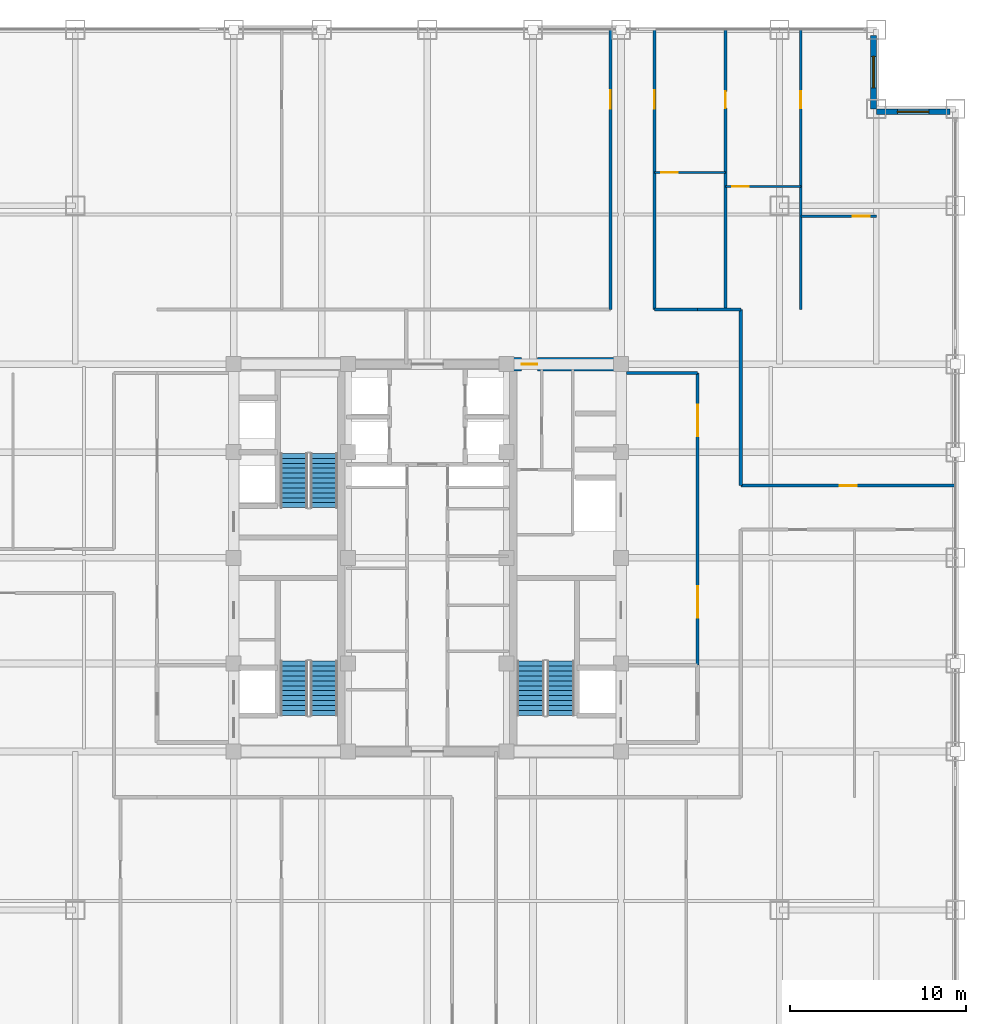
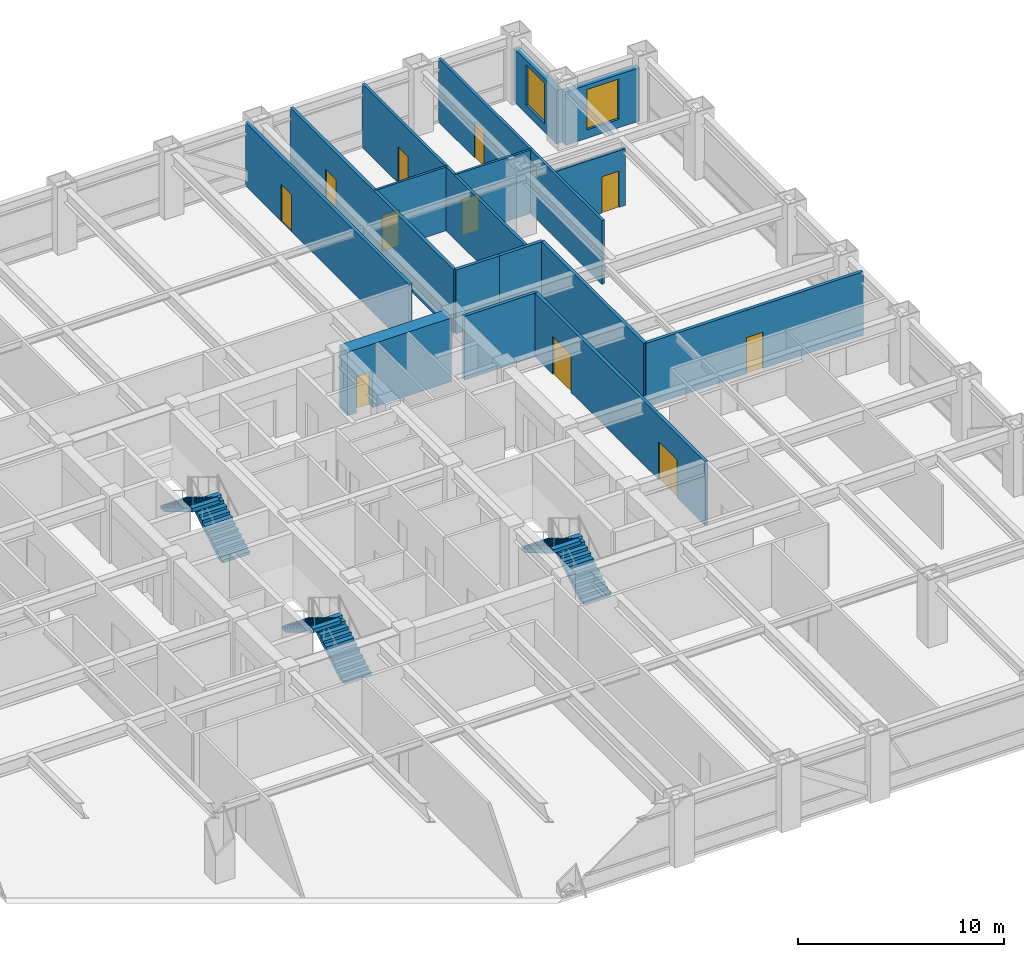
# One storey, part 23 of 24: 16 walls, 11 doors, 6 stair flights, 2 windows, 13 openings, 3 elements without a shape of their own.
"""IFC4 building model written with IfcOpenShell, lengths in metres."""

from ifc_helpers import new_model, si_unit, direction, frame, frame_2d, origin, place, context, subcontext, project, spatial, polyline, rectangle, outline, extrude, source, transform, mapped, material, layer, layer_set, type_object, element, fill, aggregate, save


model = new_model("IFC4")

# Units and contexts
model_context = context("Model", 3, precision=1e-05, world=origin(), true_north=direction((0.0, 1.0)))
body_context = subcontext(model_context, "Body", "Model", "MODEL_VIEW")
ifc_project = project(units=[si_unit("LENGTHUNIT", "METRE"), si_unit("AREAUNIT", "SQUARE_METRE"), si_unit("VOLUMEUNIT", "CUBIC_METRE"), si_unit("PLANEANGLEUNIT", "RADIAN"), si_unit("MASSUNIT", "GRAM", prefix="KILO")], contexts=[model_context])

# Site, building, storey
site_placement = place(None, origin())
site = spatial("IfcSite", under=ifc_project, at=site_placement, CompositionType="ELEMENT")
building_placement = place(site_placement, origin())
building = spatial("IfcBuilding", under=site, at=building_placement, Name="Khorayat Bourse Tower", CompositionType="ELEMENT")
storey_placement = place(building_placement, frame((0.0, 0.0, 203.10009765625)))
storey = spatial("IfcBuildingStorey", under=building, at=storey_placement, Name="L47", CompositionType="ELEMENT", Elevation=203.10009765625)

# Wall, opening, door
ifc_material_1 = material(Name="Concrete C72/90", Category="concrete")
ifc_layer_1 = layer(ifc_material_1, 0.75)
ifc_layer_set_1 = layer_set([ifc_layer_1], Name="Concrete C72/90")
wall_type_1 = type_object("IfcWallType", Name="WAL-CORE-750", PredefinedType="SHEAR", material=ifc_layer_set_1)
shared_shape_1 = source(origin(), body_context, "Body", "SweptSolid", [
    extrude(rectangle(XDim=5.849853515625, YDim=0.75, at=frame_2d((2.9248046875, 0.0))), origin(), (0.0, 0.0, 1.0), 3.77978515625),
])
wall_1_placement = place(storey_placement, frame((4.85009765625, 11.0, 0.0), z_axis=(0.0, 0.0, 1.0), x_axis=(1.0, 0.0, 0.0)))
wall_1 = element("IfcWall", 1, at=wall_1_placement, inside=storey, type_object=wall_type_1, Name="L47 Core Shear Wall PIER-EN", PredefinedType="SHEAR", context=body_context, shape_type="MappedRepresentation", body=[
    mapped(shared_shape_1, transform((0.0, 0.0, 0.0), scale=1.0)),
])
shared_shape_2 = source(origin(), body_context, "Body", "SweptSolid", [
    extrude(rectangle(XDim=0.89990234375, YDim=2.14990234375, at=frame_2d((0.449951171875, 1.074951171875))), frame((0.0, 0.385009765625, 0.0), z_axis=(0.0, -1.0, 0.0), x_axis=(1.0, 0.0, 0.0)), (0.0, 0.0, 1.0), 0.77001953125),
])
opening_1_placement = place(wall_1_placement, frame((0.5, 0.0, 0.0)))
opening_1 = element("IfcOpeningElement", 2, at=opening_1_placement, cuts=wall_1, Name="Opening DI-06", PredefinedType="OPENING", context=body_context, shape_type="MappedRepresentation", body=[
    mapped(shared_shape_2, transform((0.0, 0.0, 0.0), scale=1.0)),
])
ifc_material_2 = material(Name="Moisture-resistant laminate washroom door")
door_type_1 = type_object("IfcDoorType", Name="DR-INT-WC-900", OperationType="NOTDEFINED", PredefinedType="DOOR", material=ifc_material_2)
shared_shape_3 = source(origin(), body_context, "Body", "SweptSolid", [
    extrude(rectangle(XDim=0.89990234375, YDim=2.14990234375, at=frame_2d((0.449951171875, 1.074951171875))), frame((0.0, 0.02490234375, 0.0), z_axis=(0.0, -1.0, 0.0), x_axis=(1.0, 0.0, 0.0)), (0.0, 0.0, 1.0), 0.050048828125),
])
door_1_placement = place(opening_1_placement, origin())
door_1 = element("IfcDoor", 3, at=door_1_placement, inside=storey, type_object=door_type_1, Name="L47 Core Washroom Lobby Door", OperationType="SINGLE_SWING_LEFT", OverallHeight=2.14990234375, OverallWidth=0.89990234375, PredefinedType="DOOR", context=body_context, shape_type="MappedRepresentation", body=[
    mapped(shared_shape_3, transform((0.0, 0.0, 0.0), scale=1.0)),
])
fill(opening_1, door_1)

# Wall, opening, window
ifc_material_3 = material(Name="Precast concrete C45/55", Category="concrete")
ifc_layer_2 = layer(ifc_material_3, 0.320068359375)
ifc_layer_set_2 = layer_set([ifc_layer_2], Name="Precast concrete C45/55")
wall_type_2 = type_object("IfcWallType", Name="WAL-EXT-STONE-320", PredefinedType="STANDARD", material=ifc_layer_set_2)
shared_shape_4 = source(origin(), body_context, "Body", "SweptSolid", [
    extrude(rectangle(XDim=4.179931640625, YDim=0.320068359375, at=frame_2d((2.08984375, 0.0))), origin(), (0.0, 0.0, 1.0), 3.163818359375),
])
wall_2_placement = place(storey_placement, frame((25.5, 25.340087890625, 0.0), z_axis=(0.0, 0.0, 1.0), x_axis=(1.0, 0.0, 0.0)))
wall_2 = element("IfcWall", 4, at=wall_2_placement, inside=storey, type_object=wall_type_2, Name="L47 Re-Entrant Notch Limestone Wall NE-H", PredefinedType="STANDARD", context=body_context, shape_type="MappedRepresentation", body=[
    mapped(shared_shape_4, transform((0.0, 0.0, 0.0), scale=1.0)),
])
shared_shape_5 = source(origin(), body_context, "Body", "SweptSolid", [
    extrude(rectangle(XDim=1.800048828125, YDim=2.39990234375, at=frame_2d((0.89990234375, 1.199951171875))), frame((0.0, 0.169921875, 0.0), z_axis=(0.0, -1.0, 0.0), x_axis=(1.0, 0.0, 0.0)), (0.0, 0.0, 1.0), 0.340087890625),
])
opening_2_placement = place(wall_2_placement, frame((1.18994140625, 0.0, 0.5)))
opening_2 = element("IfcOpeningElement", 5, at=opening_2_placement, cuts=wall_2, Name="Opening WN-04", PredefinedType="OPENING", context=body_context, shape_type="MappedRepresentation", body=[
    mapped(shared_shape_5, transform((0.0, 0.0, 0.0), scale=1.0)),
])
ifc_material_4 = material(Name="Low-E acoustic laminated double glazing", Category="glass")
window_type = type_object("IfcWindowType", Name="WIN-NOTCH-1800x2400", PartitioningType="SINGLE_PANEL", PredefinedType="WINDOW", material=ifc_material_4)
shared_shape_6 = source(origin(), body_context, "Body", "SweptSolid", [
    extrude(rectangle(XDim=1.800048828125, YDim=2.39990234375, at=frame_2d((0.89990234375, 1.199951171875))), frame((0.0, 0.030029296875, 0.0), z_axis=(0.0, -1.0, 0.0), x_axis=(1.0, 0.0, 0.0)), (0.0, 0.0, 1.0), 0.06005859375),
])
window_1_placement = place(opening_2_placement, origin())
window_1 = element("IfcWindow", 6, at=window_1_placement, inside=storey, type_object=window_type, Name="L47 Facade Window 1", OverallHeight=2.39990234375, OverallWidth=1.800048828125, PartitioningType="SINGLE_PANEL", PredefinedType="WINDOW", context=body_context, shape_type="MappedRepresentation", body=[
    mapped(shared_shape_6, transform((0.0, 0.0, 0.0), scale=1.0)),
])
fill(opening_2, window_1)

wall_3_placement = place(storey_placement, frame((25.340087890625, 25.5, 0.0), z_axis=(0.0, 0.0, 1.0), x_axis=(0.0, 1.0, 0.0)))
wall_3 = element("IfcWall", 7, at=wall_3_placement, inside=storey, type_object=wall_type_2, Name="L47 Re-Entrant Notch Limestone Wall NE-V", PredefinedType="STANDARD", context=body_context, shape_type="MappedRepresentation", body=[
    mapped(shared_shape_4, transform((0.0, 0.0, 0.0), scale=1.0)),
])
opening_3_placement = place(wall_3_placement, frame((1.18994140625, 0.0, 0.5)))
opening_3 = element("IfcOpeningElement", 8, at=opening_3_placement, cuts=wall_3, Name="Opening WN-04", PredefinedType="OPENING", context=body_context, shape_type="MappedRepresentation", body=[
    mapped(shared_shape_5, transform((0.0, 0.0, 0.0), scale=1.0)),
])
window_2_placement = place(opening_3_placement, origin())
window_2 = element("IfcWindow", 9, at=window_2_placement, inside=storey, type_object=window_type, Name="L47 Facade Window 1", OverallHeight=2.39990234375, OverallWidth=1.800048828125, PartitioningType="SINGLE_PANEL", PredefinedType="WINDOW", context=body_context, shape_type="MappedRepresentation", body=[
    mapped(shared_shape_6, transform((0.0, 0.0, 0.0), scale=1.0)),
])
fill(opening_3, window_2)

# Wall
ifc_material_5 = material(Name="Gypsum plasterboard acoustic stud wall")
ifc_layer_3 = layer(ifc_material_5, 0.179931640625)
ifc_layer_set_3 = layer_set([ifc_layer_3], Name="Gypsum plasterboard acoustic stud wall")
wall_type_3 = type_object("IfcWallType", Name="WAL-PART-CORR-180", PredefinedType="PARTITIONING", material=ifc_layer_set_3)
shared_shape_7 = source(origin(), body_context, "Body", "SweptSolid", [
    extrude(rectangle(XDim=4.050048828125, YDim=0.179931640625, at=frame_2d((2.02490234375, 0.0))), origin(), (0.0, 0.0, 1.0), 3.77978515625),
])
wall_4_placement = place(storey_placement, frame((11.300048828125, 10.5, 0.0), z_axis=(0.0, 0.0, 1.0), x_axis=(1.0, 0.0, 0.0)))
element("IfcWall", 10, at=wall_4_placement, inside=storey, type_object=wall_type_3, Name="L47 Partition WAL-L47-ELOB-N", PredefinedType="PARTITIONING", context=body_context, shape_type="MappedRepresentation", body=[
    mapped(shared_shape_7, transform((0.0, 0.0, 0.0), scale=1.0)),
])

# Wall, openings, doors
shared_shape_8 = source(origin(), body_context, "Body", "SweptSolid", [
    extrude(rectangle(XDim=16.60009765625, YDim=0.179931640625, at=frame_2d((8.300048828125, 0.0))), origin(), (0.0, 0.0, 1.0), 3.77978515625),
])
wall_5_placement = place(storey_placement, frame((15.35009765625, -6.10009765625, 0.0), z_axis=(0.0, 0.0, 1.0), x_axis=(0.0, 1.0, 0.0)))
wall_5 = element("IfcWall", 11, at=wall_5_placement, inside=storey, type_object=wall_type_3, Name="L47 Partition WAL-L47-ELOB-E", PredefinedType="PARTITIONING", context=body_context, shape_type="MappedRepresentation", body=[
    mapped(shared_shape_8, transform((0.0, 0.0, 0.0), scale=1.0)),
])
shared_shape_9 = source(origin(), body_context, "Body", "SweptSolid", [
    extrude(rectangle(XDim=1.800048828125, YDim=2.25, at=frame_2d((0.89990234375, 1.125))), frame((0.0, 0.099853515625, 0.0), z_axis=(0.0, -1.0, 0.0), x_axis=(1.0, 0.0, 0.0)), (0.0, 0.0, 1.0), 0.199951171875),
])
opening_4_placement = place(wall_5_placement, frame((2.699951171875, 0.0, 0.0)))
opening_4 = element("IfcOpeningElement", 12, at=opening_4_placement, cuts=wall_5, Name="Opening DI-03", PredefinedType="OPENING", context=body_context, shape_type="MappedRepresentation", body=[
    mapped(shared_shape_9, transform((0.0, 0.0, 0.0), scale=1.0)),
])
opening_5_placement = place(wall_5_placement, frame((13.0, 0.0, 0.0)))
opening_5 = element("IfcOpeningElement", 13, at=opening_5_placement, cuts=wall_5, Name="Opening DI-03", PredefinedType="OPENING", context=body_context, shape_type="MappedRepresentation", body=[
    mapped(shared_shape_9, transform((0.0, 0.0, 0.0), scale=1.0)),
])
ifc_material_6 = material(Name="Fire-rated hardwood vision-panel double leaf", Category="wood")
door_type_2 = type_object("IfcDoorType", Name="DR-INT-CORR-1800", OperationType="NOTDEFINED", PredefinedType="DOOR", material=ifc_material_6)
shared_shape_10 = source(origin(), body_context, "Body", "SweptSolid", [
    extrude(rectangle(XDim=1.800048828125, YDim=2.25, at=frame_2d((0.89990234375, 1.125))), frame((0.0, 0.02490234375, 0.0), z_axis=(0.0, -1.0, 0.0), x_axis=(1.0, 0.0, 0.0)), (0.0, 0.0, 1.0), 0.050048828125),
])
door_2_placement = place(opening_4_placement, origin())
door_2 = element("IfcDoor", 14, at=door_2_placement, inside=storey, type_object=door_type_2, Name="L47 East Core Lobby South Door", OperationType="SINGLE_SWING_RIGHT", OverallHeight=2.25, OverallWidth=1.800048828125, PredefinedType="DOOR", context=body_context, shape_type="MappedRepresentation", body=[
    mapped(shared_shape_10, transform((0.0, 0.0, 0.0), scale=1.0)),
])
fill(opening_4, door_2)
door_3_placement = place(opening_5_placement, origin())
door_3 = element("IfcDoor", 15, at=door_3_placement, inside=storey, type_object=door_type_2, Name="L47 East Core Lobby North Door", OperationType="SINGLE_SWING_LEFT", OverallHeight=2.25, OverallWidth=1.800048828125, PredefinedType="DOOR", context=body_context, shape_type="MappedRepresentation", body=[
    mapped(shared_shape_10, transform((0.0, 0.0, 0.0), scale=1.0)),
])
fill(opening_5, door_3)

# Wall
shared_shape_11 = source(origin(), body_context, "Body", "SweptSolid", [
    extrude(rectangle(XDim=2.449951171875, YDim=0.179931640625, at=frame_2d((1.22509765625, 0.0))), origin(), (0.0, 0.0, 1.0), 3.77978515625),
])
wall_6_placement = place(storey_placement, frame((15.35009765625, 14.10009765625, 0.0), z_axis=(0.0, 0.0, 1.0), x_axis=(1.0, 0.0, 0.0)))
element("IfcWall", 16, at=wall_6_placement, inside=storey, type_object=wall_type_3, Name="L47 Partition WAL-L47-C2-EN", PredefinedType="PARTITIONING", context=body_context, shape_type="MappedRepresentation", body=[
    mapped(shared_shape_11, transform((0.0, 0.0, 0.0), scale=1.0)),
])

# Wall, opening, door
shared_shape_12 = source(origin(), body_context, "Body", "SweptSolid", [
    extrude(rectangle(XDim=12.199951171875, YDim=0.179931640625, at=frame_2d((6.10009765625, 0.0))), origin(), (0.0, 0.0, 1.0), 3.77978515625),
])
wall_7_placement = place(storey_placement, frame((17.800048828125, 4.10009765625, 0.0), z_axis=(0.0, 0.0, 1.0), x_axis=(1.0, 0.0, 0.0)))
wall_7 = element("IfcWall", 17, at=wall_7_placement, inside=storey, type_object=wall_type_3, Name="L47 Partition WAL-L47-EN-SPK", PredefinedType="PARTITIONING", context=body_context, shape_type="MappedRepresentation", body=[
    mapped(shared_shape_12, transform((0.0, 0.0, 0.0), scale=1.0)),
])
shared_shape_13 = source(origin(), body_context, "Body", "SweptSolid", [
    extrude(rectangle(XDim=0.949951171875, YDim=2.14990234375, at=frame_2d((0.47509765625, 1.074951171875))), frame((0.0, 0.099853515625, 0.0), z_axis=(0.0, -1.0, 0.0), x_axis=(1.0, 0.0, 0.0)), (0.0, 0.0, 1.0), 0.199951171875),
])
opening_6_placement = place(wall_7_placement, frame((5.625, 0.0, 0.0)))
opening_6 = element("IfcOpeningElement", 18, at=opening_6_placement, cuts=wall_7, Name="Opening DI-05", PredefinedType="OPENING", context=body_context, shape_type="MappedRepresentation", body=[
    mapped(shared_shape_13, transform((0.0, 0.0, 0.0), scale=1.0)),
])
ifc_material_7 = material(Name="Acoustic oak veneer office door")
door_type_3 = type_object("IfcDoorType", Name="DR-INT-OFFICE-950", OperationType="NOTDEFINED", PredefinedType="DOOR", material=ifc_material_7)
shared_shape_14 = source(origin(), body_context, "Body", "SweptSolid", [
    extrude(rectangle(XDim=0.949951171875, YDim=2.14990234375, at=frame_2d((0.47509765625, 1.074951171875))), frame((0.0, 0.02490234375, 0.0), z_axis=(0.0, -1.0, 0.0), x_axis=(1.0, 0.0, 0.0)), (0.0, 0.0, 1.0), 0.050048828125),
])
door_4_placement = place(opening_6_placement, origin())
door_4 = element("IfcDoor", 19, at=door_4_placement, inside=storey, type_object=door_type_3, Name="L47 Staff Tea Pantry EN Door", OperationType="SINGLE_SWING_LEFT", OverallHeight=2.14990234375, OverallWidth=0.949951171875, PredefinedType="DOOR", context=body_context, shape_type="MappedRepresentation", body=[
    mapped(shared_shape_14, transform((0.0, 0.0, 0.0), scale=1.0)),
])
fill(opening_6, door_4)

shared_shape_15 = source(origin(), body_context, "Body", "SweptSolid", [
    extrude(rectangle(XDim=15.89990234375, YDim=0.179931640625, at=frame_2d((7.949951171875, 0.0))), origin(), (0.0, 0.0, 1.0), 3.77978515625),
])
wall_8_placement = place(storey_placement, frame((10.39990234375, 14.10009765625, 0.0), z_axis=(0.0, 0.0, 1.0), x_axis=(0.0, 1.0, 0.0)))
wall_8 = element("IfcWall", 20, at=wall_8_placement, inside=storey, type_object=wall_type_3, Name="L47 Partition WAL-L47-QNW-SPK", PredefinedType="PARTITIONING", context=body_context, shape_type="MappedRepresentation", body=[
    mapped(shared_shape_15, transform((0.0, 0.0, 0.0), scale=1.0)),
])
shared_shape_16 = source(origin(), body_context, "Body", "SweptSolid", [
    extrude(rectangle(XDim=1.050048828125, YDim=2.199951171875, at=frame_2d((0.52490234375, 1.10009765625))), frame((0.0, 0.099853515625, 0.0), z_axis=(0.0, -1.0, 0.0), x_axis=(1.0, 0.0, 0.0)), (0.0, 0.0, 1.0), 0.199951171875),
])
opening_7_placement = place(wall_8_placement, frame((11.39990234375, 0.0, 0.0)))
opening_7 = element("IfcOpeningElement", 21, at=opening_7_placement, cuts=wall_8, Name="Opening DI-04", PredefinedType="OPENING", context=body_context, shape_type="MappedRepresentation", body=[
    mapped(shared_shape_16, transform((0.0, 0.0, 0.0), scale=1.0)),
])
ifc_material_8 = material(Name="Fire-rated oak veneer suite entrance door")
door_type_4 = type_object("IfcDoorType", Name="DR-INT-SUITE-1050", OperationType="NOTDEFINED", PredefinedType="DOOR", material=ifc_material_8)
shared_shape_17 = source(origin(), body_context, "Body", "SweptSolid", [
    extrude(rectangle(XDim=1.050048828125, YDim=2.199951171875, at=frame_2d((0.52490234375, 1.10009765625))), frame((0.0, 0.02490234375, 0.0), z_axis=(0.0, -1.0, 0.0), x_axis=(1.0, 0.0, 0.0)), (0.0, 0.0, 1.0), 0.050048828125),
])
door_5_placement = place(opening_7_placement, origin())
door_5 = element("IfcDoor", 22, at=door_5_placement, inside=storey, type_object=door_type_4, Name="L47 North-West Radial Spoke Entry", OperationType="SINGLE_SWING_LEFT", OverallHeight=2.199951171875, OverallWidth=1.050048828125, PredefinedType="DOOR", context=body_context, shape_type="MappedRepresentation", body=[
    mapped(shared_shape_17, transform((0.0, 0.0, 0.0), scale=1.0)),
])
fill(opening_7, door_5)

wall_9_placement = place(storey_placement, frame((12.89990234375, 14.10009765625, 0.0), z_axis=(0.0, 0.0, 1.0), x_axis=(0.0, 1.0, 0.0)))
wall_9 = element("IfcWall", 23, at=wall_9_placement, inside=storey, type_object=wall_type_3, Name="L47 Partition WAL-L47-QNE-SPK", PredefinedType="PARTITIONING", context=body_context, shape_type="MappedRepresentation", body=[
    mapped(shared_shape_15, transform((0.0, 0.0, 0.0), scale=1.0)),
])
opening_8_placement = place(wall_9_placement, frame((11.39990234375, 0.0, 0.0)))
opening_8 = element("IfcOpeningElement", 24, at=opening_8_placement, cuts=wall_9, Name="Opening DI-04", PredefinedType="OPENING", context=body_context, shape_type="MappedRepresentation", body=[
    mapped(shared_shape_16, transform((0.0, 0.0, 0.0), scale=1.0)),
])
door_6_placement = place(opening_8_placement, origin())
door_6 = element("IfcDoor", 25, at=door_6_placement, inside=storey, type_object=door_type_4, Name="L47 North-East Radial Spoke Entry", OperationType="SINGLE_SWING_LEFT", OverallHeight=2.199951171875, OverallWidth=1.050048828125, PredefinedType="DOOR", context=body_context, shape_type="MappedRepresentation", body=[
    mapped(shared_shape_17, transform((0.0, 0.0, 0.0), scale=1.0)),
])
fill(opening_8, door_6)

ifc_material_9 = material(Name="Gypsum plasterboard twin-frame partition")
ifc_layer_4 = layer(ifc_material_9, 0.14990234375)
ifc_layer_set_4 = layer_set([ifc_layer_4], Name="Gypsum plasterboard twin-frame partition")
wall_type_4 = type_object("IfcWallType", Name="WAL-PART-SUITE-150", PredefinedType="PARTITIONING", material=ifc_layer_set_4)
shared_shape_18 = source(origin(), body_context, "Body", "SweptSolid", [
    extrude(rectangle(XDim=15.89990234375, YDim=0.14990234375, at=frame_2d((7.949951171875, 0.0))), origin(), (0.0, 0.0, 1.0), 3.77978515625),
])
wall_10_placement = place(storey_placement, frame((16.931884765625, 14.10009765625, 0.0), z_axis=(0.0, 0.0, 1.0), x_axis=(0.0, 1.0, 0.0)))
wall_10 = element("IfcWall", 26, at=wall_10_placement, inside=storey, type_object=wall_type_4, Name="L47 Partition WAL-L47-QNEDV-1", PredefinedType="PARTITIONING", context=body_context, shape_type="MappedRepresentation", body=[
    mapped(shared_shape_18, transform((0.0, 0.0, 0.0), scale=1.0)),
])
shared_shape_19 = source(origin(), body_context, "Body", "SweptSolid", [
    extrude(rectangle(XDim=0.949951171875, YDim=2.14990234375, at=frame_2d((0.47509765625, 1.074951171875))), frame((0.0, 0.0849609375, 0.0), z_axis=(0.0, -1.0, 0.0), x_axis=(1.0, 0.0, 0.0)), (0.0, 0.0, 1.0), 0.169921875),
])
opening_9_placement = place(wall_10_placement, frame((11.449951171875, 0.0, 0.0)))
opening_9 = element("IfcOpeningElement", 27, at=opening_9_placement, cuts=wall_10, Name="Opening DI-05", PredefinedType="OPENING", context=body_context, shape_type="MappedRepresentation", body=[
    mapped(shared_shape_19, transform((0.0, 0.0, 0.0), scale=1.0)),
])
door_7_placement = place(opening_9_placement, origin())
door_7 = element("IfcDoor", 28, at=door_7_placement, inside=storey, type_object=door_type_3, Name="L47 North-East Suite Link 1", OperationType="SINGLE_SWING_RIGHT", OverallHeight=2.14990234375, OverallWidth=0.949951171875, PredefinedType="DOOR", context=body_context, shape_type="MappedRepresentation", body=[
    mapped(shared_shape_14, transform((0.0, 0.0, 0.0), scale=1.0)),
])
fill(opening_9, door_7)

wall_11_placement = place(storey_placement, frame((21.216064453125, 14.10009765625, 0.0), z_axis=(0.0, 0.0, 1.0), x_axis=(0.0, 1.0, 0.0)))
wall_11 = element("IfcWall", 29, at=wall_11_placement, inside=storey, type_object=wall_type_4, Name="L47 Partition WAL-L47-QNEDV-2", PredefinedType="PARTITIONING", context=body_context, shape_type="MappedRepresentation", body=[
    mapped(shared_shape_18, transform((0.0, 0.0, 0.0), scale=1.0)),
])
opening_10_placement = place(wall_11_placement, frame((11.449951171875, 0.0, 0.0)))
opening_10 = element("IfcOpeningElement", 30, at=opening_10_placement, cuts=wall_11, Name="Opening DI-05", PredefinedType="OPENING", context=body_context, shape_type="MappedRepresentation", body=[
    mapped(shared_shape_19, transform((0.0, 0.0, 0.0), scale=1.0)),
])
door_8_placement = place(opening_10_placement, origin())
door_8 = element("IfcDoor", 31, at=door_8_placement, inside=storey, type_object=door_type_3, Name="L47 North-East Suite Link 2", OperationType="SINGLE_SWING_LEFT", OverallHeight=2.14990234375, OverallWidth=0.949951171875, PredefinedType="DOOR", context=body_context, shape_type="MappedRepresentation", body=[
    mapped(shared_shape_14, transform((0.0, 0.0, 0.0), scale=1.0)),
])
fill(opening_10, door_8)

ifc_material_10 = material(Name="Gypsum plasterboard partition")
ifc_layer_5 = layer(ifc_material_10, 0.125)
ifc_layer_set_5 = layer_set([ifc_layer_5], Name="Gypsum plasterboard partition")
wall_type_5 = type_object("IfcWallType", Name="WAL-PART-ROOM-125", PredefinedType="PARTITIONING", material=ifc_layer_set_5)
shared_shape_20 = source(origin(), body_context, "Body", "SweptSolid", [
    extrude(rectangle(XDim=4.031982421875, YDim=0.125, at=frame_2d((2.01611328125, 0.0))), origin(), (0.0, 0.0, 1.0), 3.77978515625),
])
wall_12_placement = place(storey_placement, frame((12.89990234375, 21.89111328125, 0.0), z_axis=(0.0, 0.0, 1.0), x_axis=(1.0, 0.0, 0.0)))
wall_12 = element("IfcWall", 32, at=wall_12_placement, inside=storey, type_object=wall_type_5, Name="L47 Partition WAL-L47-QNEDP-1", PredefinedType="PARTITIONING", context=body_context, shape_type="MappedRepresentation", body=[
    mapped(shared_shape_20, transform((0.0, 0.0, 0.0), scale=1.0)),
])
shared_shape_21 = source(origin(), body_context, "Body", "SweptSolid", [
    extrude(rectangle(XDim=0.949951171875, YDim=2.14990234375, at=frame_2d((0.47509765625, 1.074951171875))), frame((0.0, 0.072509765625, 0.0), z_axis=(0.0, -1.0, 0.0), x_axis=(1.0, 0.0, 0.0)), (0.0, 0.0, 1.0), 0.14501953125),
])
opening_11_placement = place(wall_12_placement, frame((0.375, 0.0, 0.0)))
opening_11 = element("IfcOpeningElement", 33, at=opening_11_placement, cuts=wall_12, Name="Opening DI-05", PredefinedType="OPENING", context=body_context, shape_type="MappedRepresentation", body=[
    mapped(shared_shape_21, transform((0.0, 0.0, 0.0), scale=1.0)),
])
door_9_placement = place(opening_11_placement, origin())
door_9 = element("IfcDoor", 34, at=door_9_placement, inside=storey, type_object=door_type_3, Name="L47 North-East Financial Training Classroom 1B Door", OperationType="SINGLE_SWING_RIGHT", OverallHeight=2.14990234375, OverallWidth=0.949951171875, PredefinedType="DOOR", context=body_context, shape_type="MappedRepresentation", body=[
    mapped(shared_shape_14, transform((0.0, 0.0, 0.0), scale=1.0)),
])
fill(opening_11, door_9)

shared_shape_22 = source(origin(), body_context, "Body", "SweptSolid", [
    extrude(rectangle(XDim=4.2841796875, YDim=0.125, at=frame_2d((2.14208984375, 0.0))), origin(), (0.0, 0.0, 1.0), 3.77978515625),
])
wall_13_placement = place(storey_placement, frame((16.931884765625, 21.095947265625, 0.0), z_axis=(0.0, 0.0, 1.0), x_axis=(1.0, 0.0, 0.0)))
wall_13 = element("IfcWall", 35, at=wall_13_placement, inside=storey, type_object=wall_type_5, Name="L47 Partition WAL-L47-QNEDP-2", PredefinedType="PARTITIONING", context=body_context, shape_type="MappedRepresentation", body=[
    mapped(shared_shape_22, transform((0.0, 0.0, 0.0), scale=1.0)),
])
opening_12_placement = place(wall_13_placement, frame((0.375, 0.0, 0.0)))
opening_12 = element("IfcOpeningElement", 36, at=opening_12_placement, cuts=wall_13, Name="Opening DI-05", PredefinedType="OPENING", context=body_context, shape_type="MappedRepresentation", body=[
    mapped(shared_shape_21, transform((0.0, 0.0, 0.0), scale=1.0)),
])
door_10_placement = place(opening_12_placement, origin())
door_10 = element("IfcDoor", 37, at=door_10_placement, inside=storey, type_object=door_type_3, Name="L47 North-East Clearing Records Archive Store 2B Door", OperationType="SINGLE_SWING_LEFT", OverallHeight=2.14990234375, OverallWidth=0.949951171875, PredefinedType="DOOR", context=body_context, shape_type="MappedRepresentation", body=[
    mapped(shared_shape_14, transform((0.0, 0.0, 0.0), scale=1.0)),
])
fill(opening_12, door_10)

shared_shape_23 = source(origin(), body_context, "Body", "SweptSolid", [
    extrude(rectangle(XDim=4.283935546875, YDim=0.125, at=frame_2d((2.14208984375, 0.0))), origin(), (0.0, 0.0, 1.0), 3.36279296875),
])
wall_14_placement = place(storey_placement, frame((21.216064453125, 19.40087890625, 0.0), z_axis=(0.0, 0.0, 1.0), x_axis=(1.0, 0.0, 0.0)))
wall_14 = element("IfcWall", 38, at=wall_14_placement, inside=storey, type_object=wall_type_5, Name="L47 Partition WAL-L47-QNEDP-3", PredefinedType="PARTITIONING", context=body_context, shape_type="MappedRepresentation", body=[
    mapped(shared_shape_23, transform((0.0, 0.0, 0.0), scale=1.0)),
])
opening_13_placement = place(wall_14_placement, frame((2.958984375, 0.0, 0.0)))
opening_13 = element("IfcOpeningElement", 39, at=opening_13_placement, cuts=wall_14, Name="Opening DI-05", PredefinedType="OPENING", context=body_context, shape_type="MappedRepresentation", body=[
    mapped(shared_shape_21, transform((0.0, 0.0, 0.0), scale=1.0)),
])
door_11_placement = place(opening_13_placement, origin())
door_11 = element("IfcDoor", 40, at=door_11_placement, inside=storey, type_object=door_type_3, Name="L47 North-East Members Exchange Lounge 3B Door", OperationType="SINGLE_SWING_RIGHT", OverallHeight=2.14990234375, OverallWidth=0.949951171875, PredefinedType="DOOR", context=body_context, shape_type="MappedRepresentation", body=[
    mapped(shared_shape_14, transform((0.0, 0.0, 0.0), scale=1.0)),
])
fill(opening_13, door_11)

# Walls
shared_shape_24 = source(origin(), body_context, "Body", "SweptSolid", [
    extrude(rectangle(XDim=2.4501953125, YDim=0.179931640625, at=frame_2d((1.22509765625, 0.0))), origin(), (0.0, 0.0, 1.0), 3.77978515625),
])
wall_15_placement = place(storey_placement, frame((12.89990234375, 14.10009765625, 0.0), z_axis=(0.0, 0.0, 1.0), x_axis=(1.0, 0.0, 0.0)))
element("IfcWall", 41, at=wall_15_placement, inside=storey, type_object=wall_type_3, Name="L47 Partition WAL-L47-QNE-HC", PredefinedType="PARTITIONING", context=body_context, shape_type="MappedRepresentation", body=[
    mapped(shared_shape_24, transform((0.0, 0.0, 0.0), scale=1.0)),
])
shared_shape_25 = source(origin(), body_context, "Body", "SweptSolid", [
    extrude(rectangle(XDim=10.0, YDim=0.179931640625, at=frame_2d((5.0, 0.0))), origin(), (0.0, 0.0, 1.0), 3.77978515625),
])
wall_16_placement = place(storey_placement, frame((17.800048828125, 4.10009765625, 0.0), z_axis=(0.0, 0.0, 1.0), x_axis=(0.0, 1.0, 0.0)))
element("IfcWall", 42, at=wall_16_placement, inside=storey, type_object=wall_type_3, Name="L47 Partition WAL-L47-EN-IN", PredefinedType="PARTITIONING", context=body_context, shape_type="MappedRepresentation", body=[
    mapped(shared_shape_25, transform((0.0, 0.0, 0.0), scale=1.0)),
])

# Stair, stair flights
ifc_material_11 = material(Name="Concrete C40/50", Category="concrete")
stair_type = type_object("IfcStairType", Name="STR-CORE-1550", PredefinedType="HALF_TURN_STAIR", material=ifc_material_11)
stair_1_placement = place(storey_placement, origin())
stair_1 = element("IfcStair", 43, at=stair_1_placement, inside=storey, type_object=stair_type, Name="L47 Exit Stair ST-1", PredefinedType="HALF_TURN_STAIR")
stair_flight_type = type_object("IfcStairFlightType", Name="FLT-CORE-1550", PredefinedType="STRAIGHT", material=ifc_material_11)
shared_shape_26 = source(origin(), body_context, "Body", "SweptSolid", [
    extrude(outline(polyline([(0.0, 0.0), (0.0, 0.166748046875), (0.280029296875, 0.166748046875), (0.280029296875, 0.333251953125), (0.56005859375, 0.333251953125), (0.56005859375, 0.5), (0.840087890625, 0.5), (0.840087890625, 0.666748046875), (1.1201171875, 0.666748046875), (1.1201171875, 0.833251953125), (1.39990234375, 0.833251953125), (1.39990234375, 1.0), (1.679931640625, 1.0), (1.679931640625, 1.166748046875), (1.9599609375, 1.166748046875), (1.9599609375, 1.333251953125), (2.239990234375, 1.333251953125), (2.239990234375, 1.5), (2.52001953125, 1.5), (2.52001953125, 1.666748046875), (2.800048828125, 1.666748046875), (2.800048828125, 1.833251953125), (3.080078125, 1.833251953125), (3.080078125, 2.0), (3.080078125, 1.6240234375), (0.351806640625, 0.0), (0.0, 0.0)])), frame((0.0, 0.77490234375, 0.0), z_axis=(0.0, -1.0, 0.0), x_axis=(1.0, 0.0, 0.0)), (0.0, 0.0, 1.0), 1.550048828125),
])
stair_flight_1_placement = place(storey_placement, frame((-5.875, -8.949951171875, 0.0), z_axis=(0.0, 0.0, 1.0), x_axis=(0.0, 1.0, 0.0)))
stair_flight_1 = element("IfcStairFlight", 44, at=stair_flight_1_placement, type_object=stair_flight_type, Name="ST-1 flight 1", NumberOfRisers=12, NumberOfTreads=11, PredefinedType="STRAIGHT", RiserHeight=0.166666667, TreadLength=0.28, context=body_context, shape_type="MappedRepresentation", body=[
    mapped(shared_shape_26, transform((0.0, 0.0, 0.0), scale=1.0)),
])
stair_flight_2_placement = place(storey_placement, frame((-7.574951171875, -5.8701171875, 2.0), z_axis=(0.0, 0.0, 1.0), x_axis=(0.0, -1.0, 0.0)))
stair_flight_2 = element("IfcStairFlight", 45, at=stair_flight_2_placement, type_object=stair_flight_type, Name="ST-1 flight 2", NumberOfRisers=12, NumberOfTreads=11, PredefinedType="STRAIGHT", RiserHeight=0.166666667, TreadLength=0.28, context=body_context, shape_type="MappedRepresentation", body=[
    mapped(shared_shape_26, transform((0.0, 0.0, 0.0), scale=1.0)),
])
aggregate(stair_1, [stair_flight_1, stair_flight_2])

stair_2_placement = place(storey_placement, origin())
stair_2 = element("IfcStair", 46, at=stair_2_placement, inside=storey, type_object=stair_type, Name="L47 Exit Stair ST-2", PredefinedType="HALF_TURN_STAIR")
stair_flight_3_placement = place(storey_placement, frame((-5.875, 2.85009765625, 0.0), z_axis=(0.0, 0.0, 1.0), x_axis=(0.0, 1.0, 0.0)))
stair_flight_3 = element("IfcStairFlight", 47, at=stair_flight_3_placement, type_object=stair_flight_type, Name="ST-2 flight 1", NumberOfRisers=12, NumberOfTreads=11, PredefinedType="STRAIGHT", RiserHeight=0.166666667, TreadLength=0.28, context=body_context, shape_type="MappedRepresentation", body=[
    mapped(shared_shape_26, transform((0.0, 0.0, 0.0), scale=1.0)),
])
stair_flight_4_placement = place(storey_placement, frame((-7.574951171875, 5.929931640625, 2.0), z_axis=(0.0, 0.0, 1.0), x_axis=(0.0, -1.0, 0.0)))
stair_flight_4 = element("IfcStairFlight", 48, at=stair_flight_4_placement, type_object=stair_flight_type, Name="ST-2 flight 2", NumberOfRisers=12, NumberOfTreads=11, PredefinedType="STRAIGHT", RiserHeight=0.166666667, TreadLength=0.28, context=body_context, shape_type="MappedRepresentation", body=[
    mapped(shared_shape_26, transform((0.0, 0.0, 0.0), scale=1.0)),
])
aggregate(stair_2, [stair_flight_3, stair_flight_4])

stair_3_placement = place(storey_placement, origin())
stair_3 = element("IfcStair", 49, at=stair_3_placement, inside=storey, type_object=stair_type, Name="L47 Exit Stair ST-3", PredefinedType="HALF_TURN_STAIR")
stair_flight_5_placement = place(storey_placement, frame((7.574951171875, -8.949951171875, 0.0), z_axis=(0.0, 0.0, 1.0), x_axis=(0.0, 1.0, 0.0)))
stair_flight_5 = element("IfcStairFlight", 50, at=stair_flight_5_placement, type_object=stair_flight_type, Name="ST-3 flight 1", NumberOfRisers=12, NumberOfTreads=11, PredefinedType="STRAIGHT", RiserHeight=0.166666667, TreadLength=0.28, context=body_context, shape_type="MappedRepresentation", body=[
    mapped(shared_shape_26, transform((0.0, 0.0, 0.0), scale=1.0)),
])
stair_flight_6_placement = place(storey_placement, frame((5.875, -5.8701171875, 2.0), z_axis=(0.0, 0.0, 1.0), x_axis=(0.0, -1.0, 0.0)))
stair_flight_6 = element("IfcStairFlight", 51, at=stair_flight_6_placement, type_object=stair_flight_type, Name="ST-3 flight 2", NumberOfRisers=12, NumberOfTreads=11, PredefinedType="STRAIGHT", RiserHeight=0.166666667, TreadLength=0.28, context=body_context, shape_type="MappedRepresentation", body=[
    mapped(shared_shape_26, transform((0.0, 0.0, 0.0), scale=1.0)),
])
aggregate(stair_3, [stair_flight_5, stair_flight_6])

save(model, "model.ifc")
